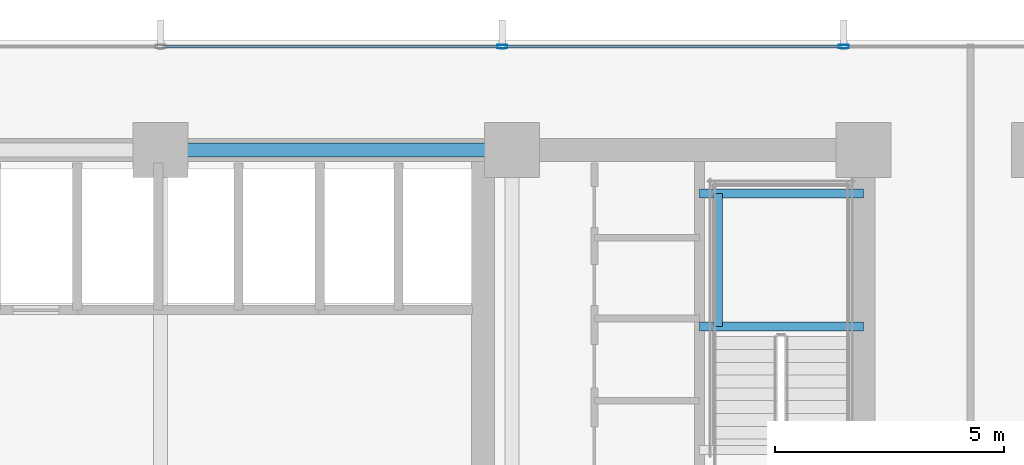
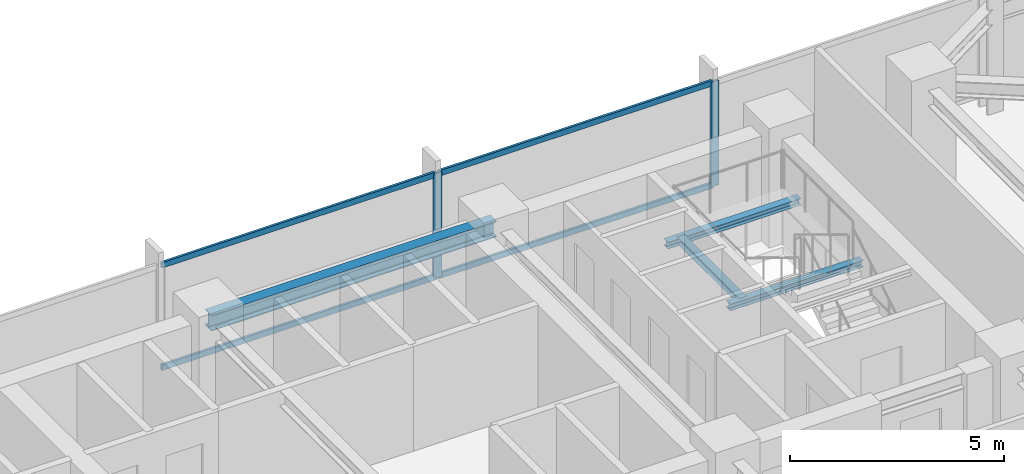
# One storey, part 19 of 32: 6 members, 4 beams, 1 element without a shape of its own.
"""IFC4 building model written with IfcOpenShell, lengths in metres."""

from ifc_helpers import new_model, si_unit, direction, frame, origin, origin_2d, place, context, subcontext, project, spatial, hollow_rectangle, i_section, extrude, material, material_profile, profile_set, type_object, element, aggregate, save


model = new_model("IFC4")

# Units and contexts
model_context = context("Model", 3, precision=1e-05, world=origin(), true_north=direction((0.0, 1.0)))
body_context = subcontext(model_context, "Body", "Model", "MODEL_VIEW")
ifc_project = project(units=[si_unit("LENGTHUNIT", "METRE"), si_unit("AREAUNIT", "SQUARE_METRE"), si_unit("VOLUMEUNIT", "CUBIC_METRE"), si_unit("PLANEANGLEUNIT", "RADIAN"), si_unit("MASSUNIT", "GRAM", prefix="KILO")], contexts=[model_context])

# Site, building, storey
site_placement = place(None, origin())
site = spatial("IfcSite", under=ifc_project, at=site_placement, CompositionType="ELEMENT")
building_placement = place(site_placement, origin())
building = spatial("IfcBuilding", under=site, at=building_placement, Name="Yelkora Congress Tower", CompositionType="ELEMENT")
storey_placement = place(building_placement, frame((0.0, 0.0, 74.60009765625)))
storey = spatial("IfcBuildingStorey", under=building, at=storey_placement, Name="L19", CompositionType="ELEMENT", Elevation=74.60009765625)

# Beams
ifc_material_1 = material(Name="Steel S355J2", Category="steel")
ifc_material_profile_1 = material_profile(ifc_material_1, i_section(OverallWidth=0.300048828125, OverallDepth=0.449951171875, WebThickness=0.013916015625, FlangeThickness=0.02587890625, FilletRadius=0.027099609375, at=origin_2d()), Name="HEB 450")
ifc_profile_set_1 = profile_set([ifc_material_profile_1], Name="Steel S355J2")
beam_type_1 = type_object("IfcBeamType", Name="BM-GIRD-HEB450", PredefinedType="BEAM", material=ifc_profile_set_1)
beam_1_placement = place(storey_placement, frame((38.39990234375, 46.199951171875, 2.7548828125), z_axis=(1.0, 0.0, 0.0), x_axis=(0.0, 1.0, 0.0)))
element("IfcBeam", 1, at=beam_1_placement, inside=storey, type_object=beam_type_1, Name="L19 Core North Girder 4", PredefinedType="BEAM", context=body_context, shape_type="SweptSolid", body=[
    extrude(i_section(OverallWidth=0.300048828125, OverallDepth=0.449951171875, WebThickness=0.013916015625, FlangeThickness=0.02587890625, FilletRadius=0.027099609375, at=origin_2d()), origin(), (0.0, 0.0, 1.0), 7.68017578125),
])
ifc_material_profile_2 = material_profile(ifc_material_1, i_section(OverallWidth=0.199951171875, OverallDepth=0.18994140625, WebThickness=0.006591796875, FlangeThickness=0.010009765625, FilletRadius=0.01806640625, at=origin_2d()), Name="HEA 200")
ifc_profile_set_2 = profile_set([ifc_material_profile_2], Name="Steel S355J2")
beam_type_2 = type_object("IfcBeamType", Name="BM-LAND-HEA200", PredefinedType="BEAM", material=ifc_profile_set_2)
for number, where, z_axis, x_axis, name in (
    (2, (50.179931640625, 42.340087890625, 1.384521484375), (1.0, 0.0, 0.0), (0.0, 1.0, 0.0), "ST-02 L19 Landing Header Beam 1S"),
    (3, (50.179931640625, 45.25, 1.384521484375), (1.0, 0.0, 0.0), (0.0, 1.0, 0.0), "ST-02 L19 Landing Header Beam 1N"),
):
    element("IfcBeam", number, at=place(storey_placement, frame(where, z_axis=z_axis, x_axis=x_axis)), inside=storey, type_object=beam_type_2, Name=name, PredefinedType="BEAM", context=body_context, shape_type="SweptSolid", body=[
        extrude(i_section(OverallWidth=0.199951171875, OverallDepth=0.18994140625, WebThickness=0.006591796875, FlangeThickness=0.010009765625, FilletRadius=0.01806640625, at=origin_2d()), origin(), (0.0, 0.0, 1.0), 3.580078125),
    ])
beam_2_placement = place(storey_placement, frame((50.580078125, 42.340087890625, 1.384521484375), z_axis=(0.0, 1.0, 0.0), x_axis=(-1.0, 0.0, 0.0)))
element("IfcBeam", 4, at=beam_2_placement, inside=storey, type_object=beam_type_2, Name="ST-02 L19 Landing Trimmer Beam 1M", PredefinedType="BEAM", context=body_context, shape_type="SweptSolid", body=[
    extrude(i_section(OverallWidth=0.199951171875, OverallDepth=0.18994140625, WebThickness=0.006591796875, FlangeThickness=0.010009765625, FilletRadius=0.01806640625, at=origin_2d()), origin(), (0.0, 0.0, 1.0), 2.909912109375),
])

# Curtain wall, members
ifc_material_2 = material(Name="Anodised aluminium and insulated glass", Category="aluminium")
curtain_wall_type = type_object("IfcCurtainWallType", Name="CW-SYS-B1", PredefinedType="NOTDEFINED", material=ifc_material_2)
curtain_wall_placement = place(storey_placement, origin())
curtain_wall = element("IfcCurtainWall", 5, at=curtain_wall_placement, inside=storey, type_object=curtain_wall_type, Name="L19 Unitised Curtain Wall 10", PredefinedType="NOTDEFINED")
ifc_material_3 = material(Name="Anodised aluminium 6063-T6", Category="aluminium")
ifc_material_profile_3 = material_profile(ifc_material_3, hollow_rectangle(XDim=0.074951171875, YDim=0.219970703125, WallThickness=0.0048828125, at=origin_2d()), Name="ALU 75x220x5")
ifc_profile_set_3 = profile_set([ifc_material_profile_3], Name="Anodised aluminium 6063-T6")
member_type_1 = type_object("IfcMemberType", Name="MEM-ML-B1", PredefinedType="MULLION", material=ifc_profile_set_3)
member_1_placement = place(storey_placement, frame((45.864990234375, 48.4599609375, 0.0), z_axis=(0.0, 0.0, 1.0), x_axis=(0.0, 1.0, 0.0)))
member_1 = element("IfcMember", 6, at=member_1_placement, type_object=member_type_1, Name="CW-B1 mullion 6", PredefinedType="MULLION", context=body_context, shape_type="SweptSolid", body=[
    extrude(hollow_rectangle(XDim=0.074951171875, YDim=0.219970703125, WallThickness=0.0048828125, at=origin_2d()), origin(), (0.0, 0.0, 1.0), 2.97998046875),
])
member_2_placement = place(storey_placement, frame((53.330078125, 48.4599609375, 0.0), z_axis=(0.0, 0.0, 1.0), x_axis=(0.0, 1.0, 0.0)))
member_2 = element("IfcMember", 7, at=member_2_placement, type_object=member_type_1, Name="CW-B1 mullion 7", PredefinedType="MULLION", context=body_context, shape_type="SweptSolid", body=[
    extrude(hollow_rectangle(XDim=0.074951171875, YDim=0.219970703125, WallThickness=0.0048828125, at=origin_2d()), origin(), (0.0, 0.0, 1.0), 2.97998046875),
])
ifc_material_profile_4 = material_profile(ifc_material_3, hollow_rectangle(XDim=0.06494140625, YDim=0.159912109375, WallThickness=0.00390625, at=origin_2d()), Name="ALU 65x160x4")
ifc_profile_set_4 = profile_set([ifc_material_profile_4], Name="Anodised aluminium 6063-T6")
member_type_2 = type_object("IfcMemberType", Name="MEM-TR-B1", PredefinedType="USERDEFINED", material=ifc_profile_set_4)
member_3_placement = place(storey_placement, frame((38.4375, 48.4599609375, 0.032470703125), z_axis=(1.0, 0.0, 0.0), x_axis=(0.0, 1.0, 0.0)))
member_3 = element("IfcMember", 8, at=member_3_placement, type_object=member_type_2, Name="CW-B1 transom 5.1", ObjectType="TRANSOM", PredefinedType="USERDEFINED", context=body_context, shape_type="SweptSolid", body=[
    extrude(hollow_rectangle(XDim=0.06494140625, YDim=0.159912109375, WallThickness=0.00390625, at=origin_2d()), origin(), (0.0, 0.0, 1.0), 7.389892578125),
])
member_4_placement = place(storey_placement, frame((38.4375, 48.4599609375, 2.947509765625), z_axis=(1.0, 0.0, 0.0), x_axis=(0.0, 1.0, 0.0)))
member_4 = element("IfcMember", 9, at=member_4_placement, type_object=member_type_2, Name="CW-B1 transom 5.2", ObjectType="TRANSOM", PredefinedType="USERDEFINED", context=body_context, shape_type="SweptSolid", body=[
    extrude(hollow_rectangle(XDim=0.06494140625, YDim=0.159912109375, WallThickness=0.00390625, at=origin_2d()), origin(), (0.0, 0.0, 1.0), 7.389892578125),
])
member_5_placement = place(storey_placement, frame((45.902587890625, 48.4599609375, 0.032470703125), z_axis=(1.0, 0.0, 0.0), x_axis=(0.0, 1.0, 0.0)))
member_5 = element("IfcMember", 10, at=member_5_placement, type_object=member_type_2, Name="CW-B1 transom 6.1", ObjectType="TRANSOM", PredefinedType="USERDEFINED", context=body_context, shape_type="SweptSolid", body=[
    extrude(hollow_rectangle(XDim=0.06494140625, YDim=0.159912109375, WallThickness=0.00390625, at=origin_2d()), origin(), (0.0, 0.0, 1.0), 7.389892578125),
])
member_6_placement = place(storey_placement, frame((45.902587890625, 48.4599609375, 2.947509765625), z_axis=(1.0, 0.0, 0.0), x_axis=(0.0, 1.0, 0.0)))
member_6 = element("IfcMember", 11, at=member_6_placement, type_object=member_type_2, Name="CW-B1 transom 6.2", ObjectType="TRANSOM", PredefinedType="USERDEFINED", context=body_context, shape_type="SweptSolid", body=[
    extrude(hollow_rectangle(XDim=0.06494140625, YDim=0.159912109375, WallThickness=0.00390625, at=origin_2d()), origin(), (0.0, 0.0, 1.0), 7.389892578125),
])
aggregate(curtain_wall, [member_1, member_2, member_3, member_4, member_5, member_6])

save(model, "model.ifc")
